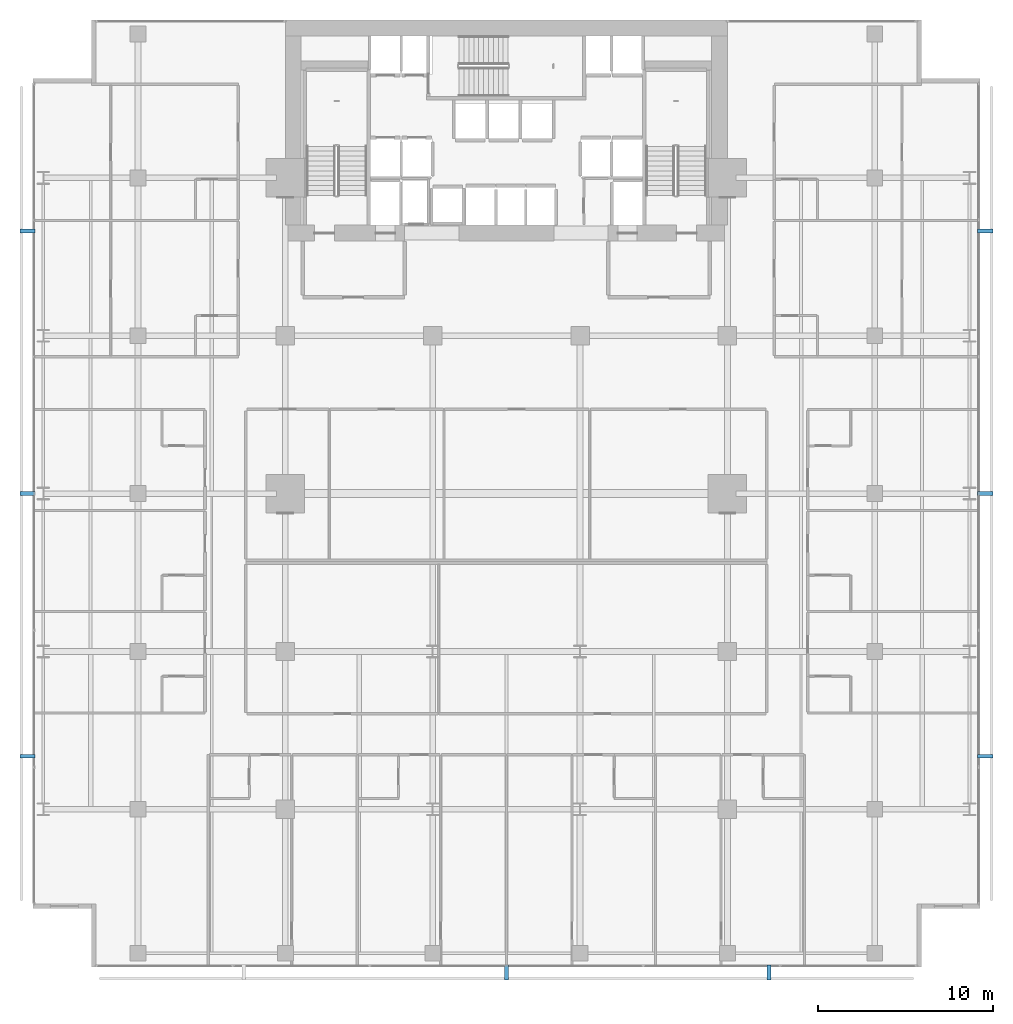
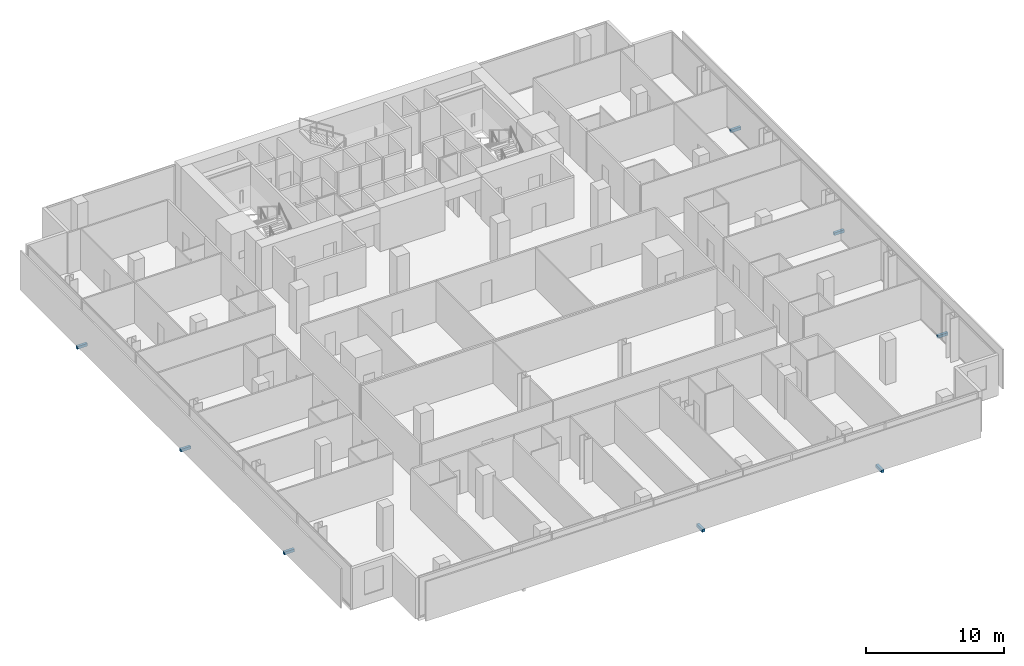
# One storey, part 38 of 40: 8 discrete accessories.
"""IFC4 building model written with IfcOpenShell, lengths in metres."""

from ifc_helpers import new_model, si_unit, direction, frame, origin, origin_2d, place, context, subcontext, project, spatial, rectangle, extrude, material, type_object, element, save


model = new_model("IFC4")

# Units and contexts
model_context = context("Model", 3, precision=1e-05, world=origin(), true_north=direction((0.0, 1.0)))
body_context = subcontext(model_context, "Body", "Model", "MODEL_VIEW")
ifc_project = project(units=[si_unit("LENGTHUNIT", "METRE"), si_unit("AREAUNIT", "SQUARE_METRE"), si_unit("VOLUMEUNIT", "CUBIC_METRE"), si_unit("PLANEANGLEUNIT", "RADIAN"), si_unit("MASSUNIT", "GRAM", prefix="KILO")], contexts=[model_context])

# Site, building, storey
site_placement = place(None, origin())
site = spatial("IfcSite", under=ifc_project, at=site_placement, CompositionType="ELEMENT")
building_placement = place(site_placement, origin())
building = spatial("IfcBuilding", under=site, at=building_placement, Name="Maruvema Waterfront Hotel and Observation Tower", CompositionType="ELEMENT")
storey_placement = place(building_placement, frame((0.0, 0.0, 92.39990234375)))
storey = spatial("IfcBuildingStorey", under=building, at=storey_placement, Name="L22", CompositionType="ELEMENT", Elevation=92.39990234375)

# Discrete accessories
ifc_material = material(Name="Duplex stainless steel Grade 2205", Category="steel")
discrete_accessory_type = type_object("IfcDiscreteAccessoryType", Name="Double-Skin Cavity Stainless Outrigger Bracket", PredefinedType="BRACKET", material=ifc_material)
for number, where, z_axis, x_axis, name in (
    (1, (37.800048828125, -0.300048828125, -0.14013671875), (0.0, 0.0, 1.0), (1.0, 0.0, 0.0), "L22 Outer Skin Support Bracket 2"),
    (2, (52.77587890625, -0.300048828125, -0.14013671875), (0.0, 0.0, 1.0), (1.0, 0.0, 0.0), "L22 Outer Skin Support Bracket 3"),
    (3, (65.10009765625, 12.02392578125, -0.14013671875), (0.0, 0.0, 1.0), (0.0, 1.0, 0.0), "L22 Outer Skin Support Bracket 1"),
    (4, (65.10009765625, 27.0, -0.14013671875), (0.0, 0.0, 1.0), (0.0, 1.0, 0.0), "L22 Outer Skin Support Bracket 2"),
    (5, (65.10009765625, 41.97607421875, -0.14013671875), (0.0, 0.0, 1.0), (0.0, 1.0, 0.0), "L22 Outer Skin Support Bracket 3"),
    (6, (10.5, 41.97607421875, -0.14013671875), (0.0, 0.0, 1.0), (0.0, -1.0, 0.0), "L22 Outer Skin Support Bracket 1"),
    (7, (10.5, 27.0, -0.14013671875), (0.0, 0.0, 1.0), (0.0, -1.0, 0.0), "L22 Outer Skin Support Bracket 2"),
    (8, (10.5, 12.02392578125, -0.14013671875), (0.0, 0.0, 1.0), (0.0, -1.0, 0.0), "L22 Outer Skin Support Bracket 3"),
):
    element("IfcDiscreteAccessory", number, at=place(storey_placement, frame(where, z_axis=z_axis, x_axis=x_axis)), inside=storey, type_object=discrete_accessory_type, Name=name, PredefinedType="BRACKET", context=body_context, shape_type="SweptSolid", body=[
        extrude(rectangle(XDim=0.219970703125, YDim=0.860107421875, at=origin_2d()), origin(), (0.0, 0.0, 1.0), 0.239990234375),
    ])

save(model, "model.ifc")
